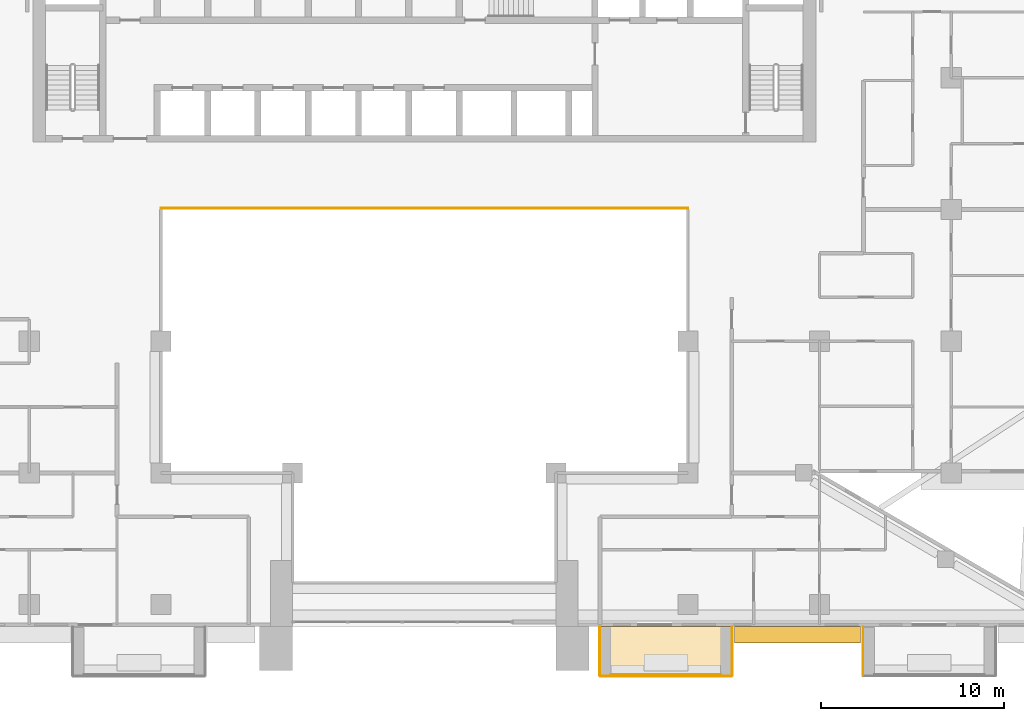
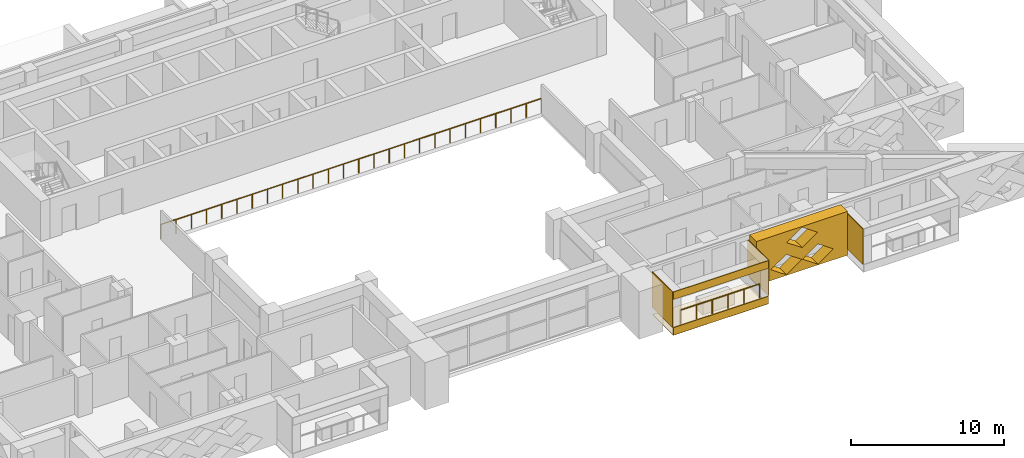
# One storey, part 16 of 20: 7 coverings, 2 railings.
"""IFC4 building model written with IfcOpenShell, lengths in metres."""

from ifc_helpers import new_model, si_unit, direction, frame, origin, origin_2d, place, context, subcontext, project, spatial, polyline, circle, outline, extrude, material, layer, layer_set, type_object, element, save


model = new_model("IFC4")

# Units and contexts
model_context = context("Model", 3, precision=1e-05, world=origin(), true_north=direction((0.0, 1.0)))
body_context = subcontext(model_context, "Body", "Model", "MODEL_VIEW")
ifc_project = project(units=[si_unit("LENGTHUNIT", "METRE"), si_unit("AREAUNIT", "SQUARE_METRE"), si_unit("VOLUMEUNIT", "CUBIC_METRE"), si_unit("PLANEANGLEUNIT", "RADIAN"), si_unit("MASSUNIT", "GRAM", prefix="KILO")], contexts=[model_context])

# Site, building, storey
site_placement = place(None, origin())
site = spatial("IfcSite", under=ifc_project, at=site_placement, CompositionType="ELEMENT")
building_placement = place(site_placement, origin())
building = spatial("IfcBuilding", under=site, at=building_placement, Name="Saffron Iwan Residences", CompositionType="ELEMENT")
storey_placement = place(building_placement, frame((0.0, 0.0, 130.5)))
storey = spatial("IfcBuildingStorey", under=building, at=storey_placement, Name="L34", CompositionType="ELEMENT", Elevation=130.5)

# Railings
ifc_material_1 = material(Name="Stainless steel 316", Category="steel")
railing_type_1 = type_object("IfcRailingType", Name="Atrium guard 1150", PredefinedType="GUARDRAIL", material=ifc_material_1)
railing_1_placement = place(storey_placement, frame((36.0, 62.47509765625, 0.0)))
element("IfcRailing", 1, at=railing_1_placement, inside=storey, type_object=railing_type_1, Name="Atrium guard L34", PredefinedType="GUARDRAIL", context=body_context, shape_type="SweptSolid", body=[
    extrude(circle(Radius=0.02392578125, at=origin_2d()), frame((0.0, 0.0, 1.1259765625), z_axis=(1.0, 0.0, 0.0), x_axis=(0.0, 1.0, 0.0)), (0.0, 0.0, 1.0), 28.800048828125),
    extrude(circle(Radius=0.02099609375, at=origin_2d()), origin(), (0.0, 0.0, 1.0), 1.101806640625),
    extrude(circle(Radius=0.02099609375, at=origin_2d()), frame((1.152099609375, 0.0, 0.0)), (0.0, 0.0, 1.0), 1.101806640625),
    extrude(circle(Radius=0.02099609375, at=origin_2d()), frame((2.303955078125, 0.0, 0.0)), (0.0, 0.0, 1.0), 1.101806640625),
    extrude(circle(Radius=0.02099609375, at=origin_2d()), frame((3.4560546875, 0.0, 0.0)), (0.0, 0.0, 1.0), 1.101806640625),
    extrude(circle(Radius=0.02099609375, at=origin_2d()), frame((4.60791015625, 0.0, 0.0)), (0.0, 0.0, 1.0), 1.101806640625),
    extrude(circle(Radius=0.02099609375, at=origin_2d()), frame((5.760009765625, 0.0, 0.0)), (0.0, 0.0, 1.0), 1.101806640625),
    extrude(circle(Radius=0.02099609375, at=origin_2d()), frame((6.912109375, 0.0, 0.0)), (0.0, 0.0, 1.0), 1.101806640625),
    extrude(circle(Radius=0.02099609375, at=origin_2d()), frame((8.06396484375, 0.0, 0.0)), (0.0, 0.0, 1.0), 1.101806640625),
    extrude(circle(Radius=0.02099609375, at=origin_2d()), frame((9.216064453125, 0.0, 0.0)), (0.0, 0.0, 1.0), 1.101806640625),
    extrude(circle(Radius=0.02099609375, at=origin_2d()), frame((10.367919921875, 0.0, 0.0)), (0.0, 0.0, 1.0), 1.101806640625),
    extrude(circle(Radius=0.02099609375, at=origin_2d()), frame((11.52001953125, 0.0, 0.0)), (0.0, 0.0, 1.0), 1.101806640625),
    extrude(circle(Radius=0.02099609375, at=origin_2d()), frame((12.672119140625, 0.0, 0.0)), (0.0, 0.0, 1.0), 1.101806640625),
    extrude(circle(Radius=0.02099609375, at=origin_2d()), frame((13.823974609375, 0.0, 0.0)), (0.0, 0.0, 1.0), 1.101806640625),
    extrude(circle(Radius=0.02099609375, at=origin_2d()), frame((14.97607421875, 0.0, 0.0)), (0.0, 0.0, 1.0), 1.101806640625),
    extrude(circle(Radius=0.02099609375, at=origin_2d()), frame((16.1279296875, 0.0, 0.0)), (0.0, 0.0, 1.0), 1.101806640625),
    extrude(circle(Radius=0.02099609375, at=origin_2d()), frame((17.280029296875, 0.0, 0.0)), (0.0, 0.0, 1.0), 1.101806640625),
    extrude(circle(Radius=0.02099609375, at=origin_2d()), frame((18.43212890625, 0.0, 0.0)), (0.0, 0.0, 1.0), 1.101806640625),
    extrude(circle(Radius=0.02099609375, at=origin_2d()), frame((19.583984375, 0.0, 0.0)), (0.0, 0.0, 1.0), 1.101806640625),
    extrude(circle(Radius=0.02099609375, at=origin_2d()), frame((20.736083984375, 0.0, 0.0)), (0.0, 0.0, 1.0), 1.101806640625),
    extrude(circle(Radius=0.02099609375, at=origin_2d()), frame((21.887939453125, 0.0, 0.0)), (0.0, 0.0, 1.0), 1.101806640625),
    extrude(circle(Radius=0.02099609375, at=origin_2d()), frame((23.0400390625, 0.0, 0.0)), (0.0, 0.0, 1.0), 1.101806640625),
    extrude(circle(Radius=0.02099609375, at=origin_2d()), frame((24.192138671875, 0.0, 0.0)), (0.0, 0.0, 1.0), 1.101806640625),
    extrude(circle(Radius=0.02099609375, at=origin_2d()), frame((25.343994140625, 0.0, 0.0)), (0.0, 0.0, 1.0), 1.101806640625),
    extrude(circle(Radius=0.02099609375, at=origin_2d()), frame((26.49609375, 0.0, 0.0)), (0.0, 0.0, 1.0), 1.101806640625),
    extrude(circle(Radius=0.02099609375, at=origin_2d()), frame((27.64794921875, 0.0, 0.0)), (0.0, 0.0, 1.0), 1.101806640625),
    extrude(circle(Radius=0.02099609375, at=origin_2d()), frame((28.800048828125, 0.0, 0.0)), (0.0, 0.0, 1.0), 1.101806640625),
])
railing_type_2 = type_object("IfcRailingType", Name="BALCONY GUARD 1150", PredefinedType="GUARDRAIL", material=ifc_material_1)
railing_2_placement = place(storey_placement, frame((60.60009765625, 36.97509765625, 0.0)))
element("IfcRailing", 2, at=railing_2_placement, inside=storey, type_object=railing_type_2, Name="Balcony guard L34 11-1", PredefinedType="GUARDRAIL", context=body_context, shape_type="SweptSolid", body=[
    extrude(circle(Radius=0.02392578125, at=origin_2d()), frame((0.0, 0.0, 1.1259765625), z_axis=(1.0, 0.0, 0.0), x_axis=(0.0, 1.0, 0.0)), (0.0, 0.0, 1.0), 6.0),
    extrude(circle(Radius=0.02099609375, at=origin_2d()), origin(), (0.0, 0.0, 1.0), 1.101806640625),
    extrude(circle(Radius=0.02099609375, at=origin_2d()), frame((1.199951171875, 0.0, 0.0)), (0.0, 0.0, 1.0), 1.101806640625),
    extrude(circle(Radius=0.02099609375, at=origin_2d()), frame((2.39990234375, 0.0, 0.0)), (0.0, 0.0, 1.0), 1.101806640625),
    extrude(circle(Radius=0.02099609375, at=origin_2d()), frame((3.60009765625, 0.0, 0.0)), (0.0, 0.0, 1.0), 1.101806640625),
    extrude(circle(Radius=0.02099609375, at=origin_2d()), frame((4.800048828125, 0.0, 0.0)), (0.0, 0.0, 1.0), 1.101806640625),
    extrude(circle(Radius=0.02099609375, at=origin_2d()), frame((6.0, 0.0, 0.0)), (0.0, 0.0, 1.0), 1.101806640625),
])

# Coverings
ifc_material_2 = material(Name="Precast concrete C40/50 white painted", Category="concrete")
ifc_layer = layer(ifc_material_2, 0.050048828125)
ifc_layer_set = layer_set([ifc_layer], Name="Precast concrete C40/50 white painted")
covering_type_1 = type_object("IfcCoveringType", Name="FRAME SKIN PRECAST WHITE 50", PredefinedType="CLADDING", material=ifc_layer_set)
for number, where, name in (
    (3, (0.0, 0.0, -0.60009765625), "Frame skin slab edge L34 11-1"),
    (4, (0.0, 0.0, 2.25), "Frame skin fascia L34 11-1"),
):
    element("IfcCovering", number, at=place(storey_placement, frame(where)), inside=storey, type_object=covering_type_1, Name=name, PredefinedType="CLADDING", context=body_context, shape_type="SweptSolid", body=[
        extrude(outline(polyline([(60.0, 36.85009765625), (67.199951171875, 36.85009765625), (67.199951171875, 36.89990234375), (60.0, 36.89990234375), (60.0, 36.85009765625)])), origin(), (0.0, 0.0, 1.0), 0.60009765625),
    ])
covering_1_placement = place(storey_placement, frame((0.0, 0.0, -0.64990234375)))
element("IfcCovering", 5, at=covering_1_placement, inside=storey, type_object=covering_type_1, Name="Frame skin soffit L34 11-1", PredefinedType="CLADDING", context=body_context, shape_type="SweptSolid", body=[
    extrude(outline(polyline([(60.0, 36.89990234375), (67.199951171875, 36.89990234375), (67.199951171875, 39.60009765625), (60.0, 39.60009765625), (60.0, 36.89990234375)])), origin(), (0.0, 0.0, 1.0), 0.0498046875),
])
covering_2_placement = place(storey_placement, origin())
element("IfcCovering", 6, at=covering_2_placement, inside=storey, type_object=covering_type_1, Name="Frame skin fin L34 11-1a", PredefinedType="CLADDING", context=body_context, shape_type="SweptSolid", body=[
    extrude(outline(polyline([(59.949951171875, 36.89990234375), (60.0, 36.89990234375), (60.0, 39.60009765625), (59.949951171875, 39.60009765625), (59.949951171875, 36.89990234375)])), origin(), (0.0, 0.0, 1.0), 2.85009765625),
])
covering_3_placement = place(storey_placement, origin())
element("IfcCovering", 7, at=covering_3_placement, inside=storey, type_object=covering_type_1, Name="Frame skin fin L34 11-1b", PredefinedType="CLADDING", context=body_context, shape_type="SweptSolid", body=[
    extrude(outline(polyline([(67.199951171875, 36.89990234375), (67.25, 36.89990234375), (67.25, 39.60009765625), (67.199951171875, 39.60009765625), (67.199951171875, 36.89990234375)])), origin(), (0.0, 0.0, 1.0), 2.85009765625),
])
covering_4_placement = place(storey_placement, origin())
element("IfcCovering", 8, at=covering_4_placement, inside=storey, type_object=covering_type_1, Name="Frame skin fin L34 11-2a", PredefinedType="CLADDING", context=body_context, shape_type="SweptSolid", body=[
    extrude(outline(polyline([(74.35009765625, 36.89990234375), (74.39990234375, 36.89990234375), (74.39990234375, 39.60009765625), (74.35009765625, 39.60009765625), (74.35009765625, 36.89990234375)])), origin(), (0.0, 0.0, 1.0), 2.85009765625),
])
ifc_material_3 = material(Name="Precast concrete C40/50", Category="concrete")
covering_type_2 = type_object("IfcCoveringType", Name="OUTER SKIN LATTICE SCREEN", PredefinedType="CLADDING", material=ifc_material_3)
covering_5_placement = place(storey_placement, frame((67.35009765625, 39.60009765625, -0.300048828125), z_axis=(0.0, -1.0, 0.0), x_axis=(1.0, 0.0, 0.0)))
element("IfcCovering", 9, at=covering_5_placement, inside=storey, type_object=covering_type_2, Name="OUTER SKIN lattice screen L34 F11.2", PredefinedType="CLADDING", context=body_context, shape_type="SweptSolid", body=[
    extrude(outline(polyline([(0.0, 0.0), (6.89990234375, 0.0), (6.89990234375, 3.5), (0.0, 3.5), (0.0, 0.0)]), holes=[polyline([(1.070068359375, 0.875), (2.25, 0.06005859375), (3.429931640625, 0.875), (2.25, 1.68994140625), (1.070068359375, 0.875)]), polyline([(3.469970703125, 0.875), (4.64990234375, 0.06005859375), (5.830078125, 0.875), (4.64990234375, 1.68994140625), (3.469970703125, 0.875)]), polyline([(2.27001953125, 2.625), (3.449951171875, 1.81005859375), (4.6298828125, 2.625), (3.449951171875, 3.43994140625), (2.27001953125, 2.625)])]), origin(), (0.0, 0.0, 1.0), 0.900146484375),
])

save(model, "model.ifc")
